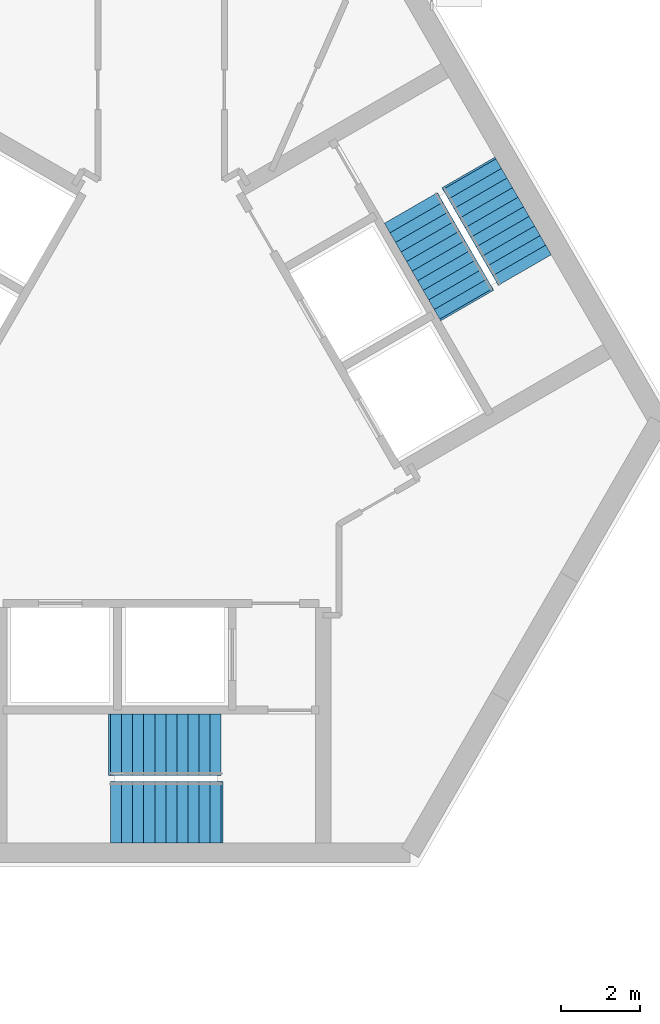
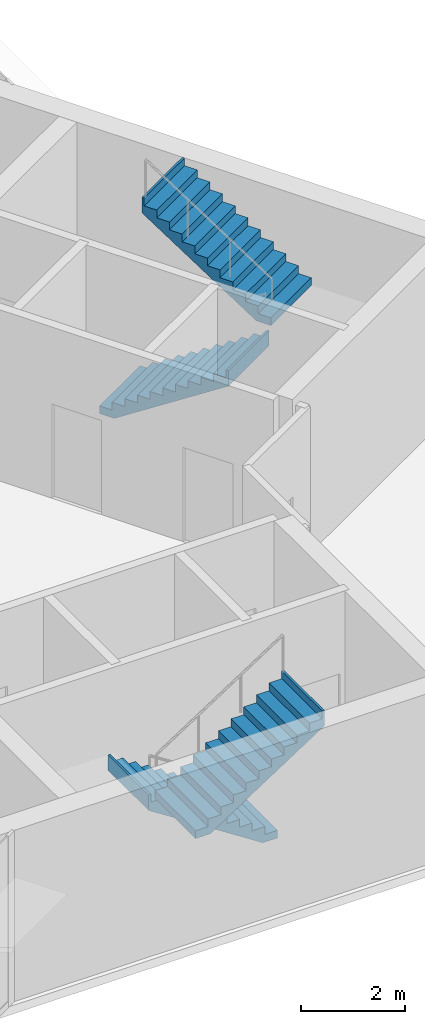
# One storey, part 17 of 18: 4 stair flights, 2 elements without a shape of their own.
"""IFC4 building model written with IfcOpenShell, lengths in metres."""

from ifc_helpers import new_model, si_unit, direction, frame, origin, place, context, subcontext, project, spatial, polyline, outline, extrude, material, type_object, element, aggregate, save


model = new_model("IFC4")

# Units and contexts
model_context = context("Model", 3, precision=1e-05, world=origin(), true_north=direction((0.0, 1.0)))
body_context = subcontext(model_context, "Body", "Model", "MODEL_VIEW")
ifc_project = project(units=[si_unit("LENGTHUNIT", "METRE"), si_unit("AREAUNIT", "SQUARE_METRE"), si_unit("VOLUMEUNIT", "CUBIC_METRE"), si_unit("PLANEANGLEUNIT", "RADIAN"), si_unit("MASSUNIT", "GRAM", prefix="KILO")], contexts=[model_context])

# Site, building, storey
site_placement = place(None, origin())
site = spatial("IfcSite", under=ifc_project, at=site_placement, CompositionType="ELEMENT")
building_placement = place(site_placement, origin())
building = spatial("IfcBuilding", under=site, at=building_placement, Name="Upepo Twin Towers", CompositionType="ELEMENT")
storey_placement = place(building_placement, frame((0.0, 0.0, 226.5)))
storey = spatial("IfcBuildingStorey", under=building, at=storey_placement, Name="L55", CompositionType="ELEMENT", Elevation=226.5)

# Stair, stair flights
ifc_material_1 = material(Name="Concrete C40/50", Category="concrete")
stair_type = type_object("IfcStairType", Name="Core stair, two flights", PredefinedType="HALF_TURN_STAIR", material=ifc_material_1)
stair_1_placement = place(storey_placement, origin())
stair_1 = element("IfcStair", 1, at=stair_1_placement, inside=storey, type_object=stair_type, Name="T2 stair S1 L55", PredefinedType="HALF_TURN_STAIR")
ifc_material_2 = material(Name="Concrete C40/50", Category="concrete")
stair_flight_type = type_object("IfcStairFlightType", Name="Stair flight 1550 RC", PredefinedType="STRAIGHT", material=ifc_material_2)
stair_flight_1_placement = place(storey_placement, frame((60.02001953125, -26.175048828125, 0.0), z_axis=(0.0, 0.0, 1.0), x_axis=(-1.0, 0.0, 0.0)))
stair_flight_1 = element("IfcStairFlight", 2, at=stair_flight_1_placement, type_object=stair_flight_type, Name="Stair S1 flight 1", NumberOfRisers=11, NumberOfTreads=10, PredefinedType="STRAIGHT", RiserHeight=0.181818182, TreadLength=0.28, context=body_context, shape_type="SweptSolid", body=[
    extrude(outline(polyline([(0.0, 0.0), (0.0, 0.181884765625), (0.280029296875, 0.181884765625), (0.280029296875, 0.363525390625), (0.56005859375, 0.363525390625), (0.56005859375, 0.54541015625), (0.840087890625, 0.54541015625), (0.840087890625, 0.727294921875), (1.1201171875, 0.727294921875), (1.1201171875, 0.9091796875), (1.39990234375, 0.9091796875), (1.39990234375, 1.0908203125), (1.679931640625, 1.0908203125), (1.679931640625, 1.272705078125), (1.9599609375, 1.272705078125), (1.9599609375, 1.45458984375), (2.239990234375, 1.45458984375), (2.239990234375, 1.636474609375), (2.52001953125, 1.636474609375), (2.52001953125, 1.818115234375), (2.800048828125, 1.818115234375), (2.800048828125, 2.0), (2.85009765625, 2.0), (2.85009765625, 1.639404296875), (0.3251953125, 0.0), (0.0, 0.0)])), frame((0.0, 0.77490234375, 0.0), z_axis=(0.0, -1.0, 0.0), x_axis=(1.0, 0.0, 0.0)), (0.0, 0.0, 1.0), 1.550048828125),
])
stair_flight_2_placement = place(storey_placement, frame((57.219970703125, -27.88330078125, 2.0), z_axis=(0.0, 0.0, 1.0), x_axis=(1.0, 0.0, 0.0)))
stair_flight_2 = element("IfcStairFlight", 3, at=stair_flight_2_placement, type_object=stair_flight_type, Name="Stair S1 flight 2", NumberOfRisers=11, NumberOfTreads=10, PredefinedType="STRAIGHT", RiserHeight=0.181818182, TreadLength=0.28, context=body_context, shape_type="SweptSolid", body=[
    extrude(outline(polyline([(0.0, 0.0), (0.0, 0.181884765625), (0.280029296875, 0.181884765625), (0.280029296875, 0.363525390625), (0.56005859375, 0.363525390625), (0.56005859375, 0.54541015625), (0.840087890625, 0.54541015625), (0.840087890625, 0.727294921875), (1.1201171875, 0.727294921875), (1.1201171875, 0.9091796875), (1.39990234375, 0.9091796875), (1.39990234375, 1.0908203125), (1.679931640625, 1.0908203125), (1.679931640625, 1.272705078125), (1.9599609375, 1.272705078125), (1.9599609375, 1.45458984375), (2.239990234375, 1.45458984375), (2.239990234375, 1.636474609375), (2.52001953125, 1.636474609375), (2.52001953125, 1.818115234375), (2.800048828125, 1.818115234375), (2.800048828125, 2.0), (2.85009765625, 2.0), (2.85009765625, 1.639404296875), (0.3251953125, 0.0), (0.0, 0.0)])), frame((0.0, 0.77490234375, 0.0), z_axis=(0.0, -1.0, 0.0), x_axis=(1.0, 0.0, 0.0)), (0.0, 0.0, 1.0), 1.550048828125),
])
aggregate(stair_1, [stair_flight_1, stair_flight_2])

stair_2_placement = place(storey_placement, origin())
stair_2 = element("IfcStair", 4, at=stair_2_placement, inside=storey, type_object=stair_type, Name="T2 stair S2 L55", PredefinedType="HALF_TURN_STAIR")
stair_flight_3_placement = place(storey_placement, frame((64.81982421875, -12.59619140625, 0.0), z_axis=(0.0, 0.0, 1.0), x_axis=(0.5, -0.866025403784, 0.0)))
stair_flight_3 = element("IfcStairFlight", 5, at=stair_flight_3_placement, type_object=stair_flight_type, Name="Stair S2 flight 1", NumberOfRisers=11, NumberOfTreads=10, PredefinedType="STRAIGHT", RiserHeight=0.181818182, TreadLength=0.28, context=body_context, shape_type="SweptSolid", body=[
    extrude(outline(polyline([(0.0, 0.0), (0.0, 0.181884765625), (0.280029296875, 0.181884765625), (0.280029296875, 0.363525390625), (0.56005859375, 0.363525390625), (0.56005859375, 0.54541015625), (0.840087890625, 0.54541015625), (0.840087890625, 0.727294921875), (1.1201171875, 0.727294921875), (1.1201171875, 0.9091796875), (1.39990234375, 0.9091796875), (1.39990234375, 1.0908203125), (1.679931640625, 1.0908203125), (1.679931640625, 1.272705078125), (1.9599609375, 1.272705078125), (1.9599609375, 1.45458984375), (2.239990234375, 1.45458984375), (2.239990234375, 1.636474609375), (2.52001953125, 1.636474609375), (2.52001953125, 1.818115234375), (2.800048828125, 1.818115234375), (2.800048828125, 2.0), (2.85009765625, 2.0), (2.85009765625, 1.639404296875), (0.3251953125, 0.0), (0.0, 0.0)])), frame((0.0, 0.77490234375, 0.0), z_axis=(0.0, -1.0, 0.0), x_axis=(1.0, 0.0, 0.0)), (0.0, 0.0, 1.0), 1.550048828125),
])
stair_flight_4_placement = place(storey_placement, frame((67.69921875, -14.166748046875, 2.0), z_axis=(0.0, 0.0, 1.0), x_axis=(-0.5, 0.866025403784, 0.0)))
stair_flight_4 = element("IfcStairFlight", 6, at=stair_flight_4_placement, type_object=stair_flight_type, Name="Stair S2 flight 2", NumberOfRisers=11, NumberOfTreads=10, PredefinedType="STRAIGHT", RiserHeight=0.181818182, TreadLength=0.28, context=body_context, shape_type="SweptSolid", body=[
    extrude(outline(polyline([(0.0, 0.0), (0.0, 0.181884765625), (0.280029296875, 0.181884765625), (0.280029296875, 0.363525390625), (0.56005859375, 0.363525390625), (0.56005859375, 0.54541015625), (0.840087890625, 0.54541015625), (0.840087890625, 0.727294921875), (1.1201171875, 0.727294921875), (1.1201171875, 0.9091796875), (1.39990234375, 0.9091796875), (1.39990234375, 1.0908203125), (1.679931640625, 1.0908203125), (1.679931640625, 1.272705078125), (1.9599609375, 1.272705078125), (1.9599609375, 1.45458984375), (2.239990234375, 1.45458984375), (2.239990234375, 1.636474609375), (2.52001953125, 1.636474609375), (2.52001953125, 1.818115234375), (2.800048828125, 1.818115234375), (2.800048828125, 2.0), (2.85009765625, 2.0), (2.85009765625, 1.639404296875), (0.3251953125, 0.0), (0.0, 0.0)])), frame((0.0, 0.77490234375, 0.0), z_axis=(0.0, -1.0, 0.0), x_axis=(1.0, 0.0, 0.0)), (0.0, 0.0, 1.0), 1.550048828125),
])
aggregate(stair_2, [stair_flight_3, stair_flight_4])

save(model, "model.ifc")
